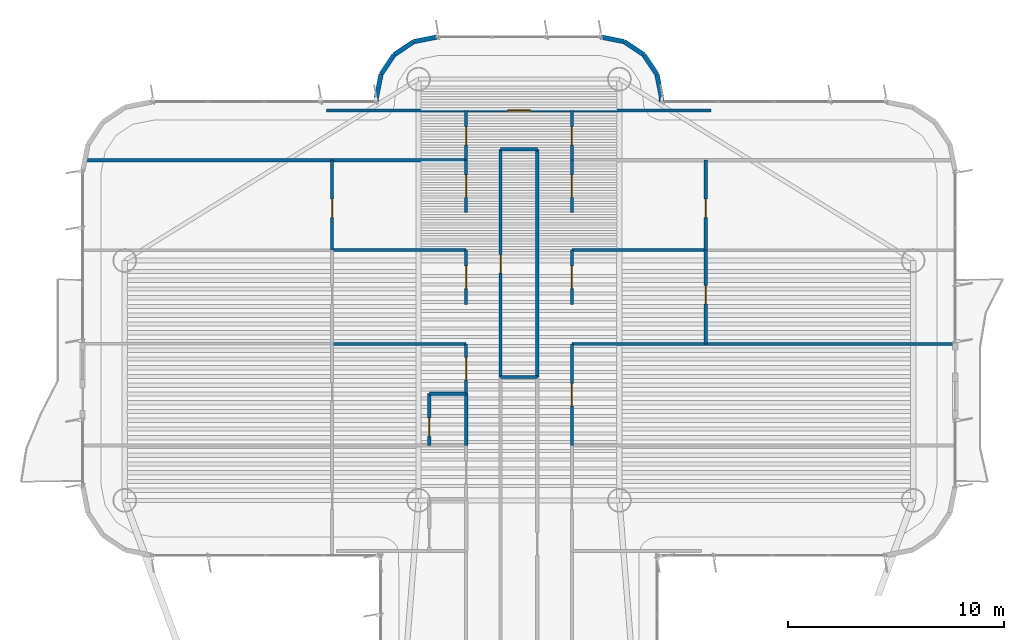
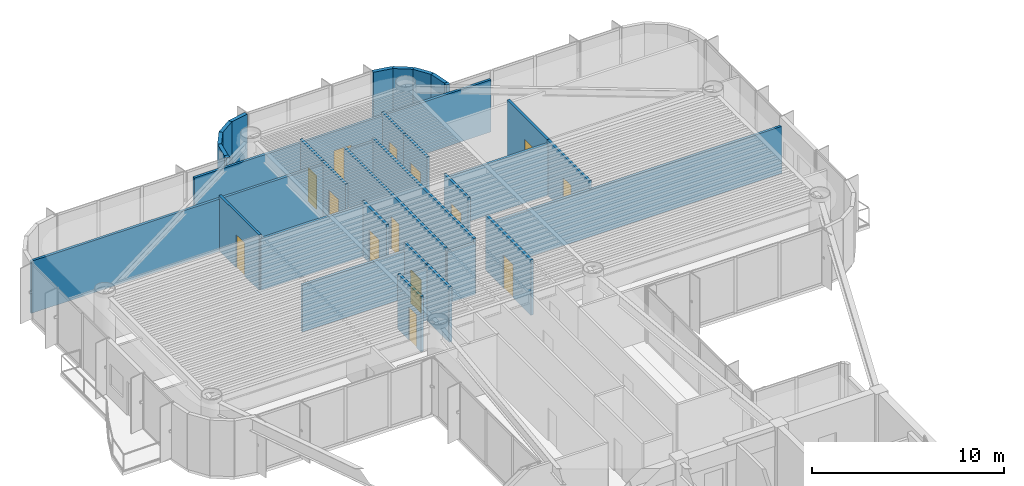
# One storey, part 11 of 14: 34 walls, 14 doors, 14 openings.
"""IFC4 building model written with IfcOpenShell, lengths in metres."""

import ifcopenshell
import ifcopenshell.guid

model = None  # the IFC model being written
_history = None  # IfcOwnerHistory: only IFC2X3 demands one
_inside = {}  # id of a spatial element -> (the spatial element, [elements in it])
_under = {}  # id of a project, library or spatial element -> (it, [spatial elements below it])
_declared = {}  # id of a project -> (the project, [libraries it declares])
_typed = {}  # id of a type object -> (the type object, [elements of that type])
_made_of = {}  # id of a material, layer set ... -> (it, [elements and type objects made of it])


def new_model(schema):
    """Start an empty IFC model of exactly this schema.

    Asked for "IFC4X3", IfcOpenShell would pick the latest addendum, in which some entities
    have other attributes; the version numbers below select the first issue.
    IFC2X3 requires an IfcOwnerHistory on every rooted entity: one is made here for all.
    """
    global model, _history
    if schema == "IFC4X3":
        model = ifcopenshell.file(schema_version=(4, 3, 0, 0))
    else:
        model = ifcopenshell.file(schema=schema)
    _inside.clear()
    _under.clear()
    _declared.clear()
    _typed.clear()
    _made_of.clear()
    _history = None
    if model.schema == "IFC2X3":
        org = make("IfcOrganization", Name="unknown")
        user = make(
            "IfcPersonAndOrganization",
            ThePerson=make("IfcPerson", FamilyName="unknown"),
            TheOrganization=org,
        )
        app = make(
            "IfcApplication",
            ApplicationDeveloper=org,
            Version="unknown",
            ApplicationFullName="unknown",
            ApplicationIdentifier="unknown",
        )
        _history = make(
            "IfcOwnerHistory",
            OwningUser=user,
            OwningApplication=app,
            ChangeAction="ADDED",
            CreationDate=0,
        )
    return model


def make(cls, **values):
    """One entity of the class cls with the attributes given. An attribute that is None is left unset."""
    return model.create_entity(
        cls, **{name: value for name, value in values.items() if value is not None}
    )


def rooted(cls, **values):
    """An entity with a GlobalId (a new one), such as an element, a storey or a relation."""
    return make(cls, GlobalId=ifcopenshell.guid.new(), OwnerHistory=_history, **values)


def si_unit(unit_type, name, prefix=None):
    """IfcSIUnit, for example si_unit("LENGTHUNIT", "METRE", prefix="MILLI")."""
    return make("IfcSIUnit", UnitType=unit_type, Prefix=prefix, Name=name)


def assignment(units):
    """IfcUnitAssignment: the units of a project."""
    return None if units is None else make("IfcUnitAssignment", Units=units)


def point(xyz):
    """IfcCartesianPoint."""
    return None if xyz is None else make("IfcCartesianPoint", Coordinates=xyz)


def direction(xyz):
    """IfcDirection."""
    return None if xyz is None else make("IfcDirection", DirectionRatios=xyz)


def frame(location, z_axis=None, x_axis=None):
    """IfcAxis2Placement3D, a coordinate frame: its origin and axes. An axis left out is left unset."""
    return make(
        "IfcAxis2Placement3D",
        Location=point(location),
        Axis=direction(z_axis),
        RefDirection=direction(x_axis),
    )


def frame_2d(location, x_axis=None):
    """IfcAxis2Placement2D, a coordinate frame in the plane: its origin and x axis."""
    return make(
        "IfcAxis2Placement2D", Location=point(location), RefDirection=direction(x_axis)
    )


def origin():
    """The frame at (0, 0, 0) with its axes left unset."""
    return frame((0.0, 0.0, 0.0))


def origin_2d():
    """The frame at (0, 0) in the plane with its x axis left unset."""
    return frame_2d((0.0, 0.0))


def place(relative_to, where):
    """IfcLocalPlacement: puts the frame where relative to a parent placement (None: the world)."""
    return make(
        "IfcLocalPlacement", PlacementRelTo=relative_to, RelativePlacement=where
    )


def context(
    kind, dimensions, precision=None, world=None, true_north=None, identifier=None
):
    """IfcGeometricRepresentationContext, for example the 3D "Model" context."""
    return make(
        "IfcGeometricRepresentationContext",
        ContextIdentifier=identifier,
        ContextType=kind,
        CoordinateSpaceDimension=dimensions,
        Precision=precision,
        WorldCoordinateSystem=world,
        TrueNorth=true_north,
    )


def subcontext(parent, identifier, kind, view, scale=None):
    """IfcGeometricRepresentationSubContext, for example "Body" below "Model"."""
    return make(
        "IfcGeometricRepresentationSubContext",
        ContextIdentifier=identifier,
        ContextType=kind,
        ParentContext=parent,
        TargetScale=scale,
        TargetView=view,
    )


def project(units=None, contexts=None):
    """IfcProject with its units and contexts."""
    return rooted(
        "IfcProject",
        Name="project",
        RepresentationContexts=contexts,
        UnitsInContext=assignment(units),
    )


def spatial(cls, under=None, at=None, **own):
    """A site, building, storey or space (cls), placed at a placement, below another one or the project."""
    s = rooted(cls, ObjectPlacement=at, **own)
    if under is not None:
        _under.setdefault(under.id(), (under, []))[1].append(s)
    return s


def profile(cls, at=None, kind="AREA", **sizes):
    """A parametric profile (cls). Its sizes go by their IFC names, for example OverallWidth=200.0."""
    return make(cls, ProfileType=kind, Position=at, **sizes)


def rectangle(**sizes):
    """IfcRectangleProfileDef."""
    return profile("IfcRectangleProfileDef", **sizes)


def extrude(swept, where, along, depth):
    """IfcExtrudedAreaSolid: the profile swept, set in the frame where, extruded along a direction by depth."""
    return make(
        "IfcExtrudedAreaSolid",
        SweptArea=swept,
        Position=where,
        ExtrudedDirection=direction(along),
        Depth=depth,
    )


def shape(context_of_items, identifier, shape_type, items):
    """IfcShapeRepresentation: the items that make up one representation, for example the "Body"."""
    return make(
        "IfcShapeRepresentation",
        ContextOfItems=context_of_items,
        RepresentationIdentifier=identifier,
        RepresentationType=shape_type,
        Items=items,
    )


def source(mapping_origin, context_of_items, identifier, shape_type, items):
    """IfcRepresentationMap: a shape defined once, which mapped items show again and again."""
    return make(
        "IfcRepresentationMap",
        MappingOrigin=mapping_origin,
        MappedRepresentation=shape(context_of_items, identifier, shape_type, items),
    )


def transform(
    local_origin,
    x_axis=None,
    y_axis=None,
    z_axis=None,
    scale=None,
    scale2=None,
    scale3=None,
    uniform=True,
):
    """IfcCartesianTransformationOperator3D, or its non-uniform kind. x_axis, y_axis, z_axis: its Axis1, 2, 3."""
    if uniform:
        return make(
            "IfcCartesianTransformationOperator3D",
            Axis1=direction(x_axis),
            Axis2=direction(y_axis),
            LocalOrigin=point(local_origin),
            Scale=scale,
            Axis3=direction(z_axis),
        )
    return make(
        "IfcCartesianTransformationOperator3DnonUniform",
        Axis1=direction(x_axis),
        Axis2=direction(y_axis),
        LocalOrigin=point(local_origin),
        Scale=scale,
        Axis3=direction(z_axis),
        Scale2=scale2,
        Scale3=scale3,
    )


def mapped(mapping_source, mapping_target):
    """IfcMappedItem: shows the shape of a source again, moved by a transform."""
    return make(
        "IfcMappedItem", MappingSource=mapping_source, MappingTarget=mapping_target
    )


def material(Name=None, Category=None):
    """IfcMaterial."""
    return make("IfcMaterial", Name=Name, Category=Category)


def layer(
    of_material, thickness, ventilated=None, Name=None, Category=None, Priority=None
):
    """IfcMaterialLayer: one layer of a wall or slab, of a material (None: an air gap)."""
    return make(
        "IfcMaterialLayer",
        Material=of_material,
        LayerThickness=thickness,
        IsVentilated=ventilated,
        Name=Name,
        Category=Category,
        Priority=Priority,
    )


def layer_set(layers, Name=None):
    """IfcMaterialLayerSet."""
    return make("IfcMaterialLayerSet", MaterialLayers=layers, LayerSetName=Name)


def made_of(thing, what):
    """Note that an element or type object is made of a material, layer set ...; save() writes the relation."""
    if what is not None:
        _made_of.setdefault(what.id(), (what, []))[1].append(thing)
    return thing


def type_object(cls, material=None, **own):
    """A type object (cls), such as IfcWallType, which elements share."""
    return made_of(rooted(cls, **own), material)


def element(
    cls,
    number,
    at=None,
    inside=None,
    cuts=None,
    type_object=None,
    material=None,
    context=None,
    identifier="Body",
    shape_type=None,
    held_by="IfcProductDefinitionShape",
    body=None,
    shapes=None,
    **own,
):
    """One element of the class cls, such as IfcWall. Its Tag is "e" and its number.

    at: its placement. inside: the storey or other place that contains it. cuts: it is an
    opening in that element (IfcRelVoidsElement). A single representation is given by context,
    identifier, shape_type and body (its items); several are given by shapes. held_by: the class
    of the entity that holds the representations. save() writes the other relations.
    """
    e = rooted(cls, Tag="e%d" % number, ObjectPlacement=at, **own)
    if body is not None:
        shapes = [shape(context, identifier, shape_type, body)]
    if shapes is not None:
        e.Representation = make(held_by, Representations=shapes)
    if inside is not None:
        _inside.setdefault(inside.id(), (inside, []))[1].append(e)
    if cuts is not None:
        rooted(
            "IfcRelVoidsElement", RelatingBuildingElement=cuts, RelatedOpeningElement=e
        )
    if type_object is not None:
        _typed.setdefault(type_object.id(), (type_object, []))[1].append(e)
    return made_of(e, material)


def fill(opening, filler):
    """IfcRelFillsElement: the door or window that sits in an opening."""
    return rooted(
        "IfcRelFillsElement",
        RelatingOpeningElement=opening,
        RelatedBuildingElement=filler,
    )


def aggregate(whole, parts):
    """IfcRelAggregates: a whole, such as a stair, and the parts it consists of."""
    return rooted("IfcRelAggregates", RelatingObject=whole, RelatedObjects=parts)


def save(model, path):
    """Write the relations noted so far, then the file.

    IfcRelAggregates (storeys below a building ...), IfcRelContainedInSpatialStructure (elements
    in a storey), IfcRelDefinesByType, IfcRelAssociatesMaterial and IfcRelDeclares: one each for
    every whole, place, type object, material and project.
    """
    for whole, parts in _under.values():
        aggregate(whole, parts)
    for where, things in _inside.values():
        rooted(
            "IfcRelContainedInSpatialStructure",
            RelatedElements=things,
            RelatingStructure=where,
        )
    for kind, things in _typed.values():
        rooted("IfcRelDefinesByType", RelatedObjects=things, RelatingType=kind)
    for what, things in _made_of.values():
        rooted("IfcRelAssociatesMaterial", RelatedObjects=things, RelatingMaterial=what)
    for by, libraries in _declared.values():
        rooted("IfcRelDeclares", RelatingContext=by, RelatedDefinitions=libraries)
    model.write(path)


model = new_model("IFC4")

# Units and contexts
model_context = context("Model", 3, precision=1e-05, world=origin(), true_north=direction((0.0, 1.0)))
body_context = subcontext(model_context, "Body", "Model", "MODEL_VIEW")
ifc_project = project(units=[si_unit("LENGTHUNIT", "METRE"), si_unit("AREAUNIT", "SQUARE_METRE"), si_unit("VOLUMEUNIT", "CUBIC_METRE"), si_unit("PLANEANGLEUNIT", "RADIAN"), si_unit("MASSUNIT", "GRAM", prefix="KILO")], contexts=[model_context])

# Site, building, storey
site_placement = place(None, origin())
site = spatial("IfcSite", under=ifc_project, at=site_placement, CompositionType="ELEMENT")
building_placement = place(site_placement, origin())
building = spatial("IfcBuilding", under=site, at=building_placement, Name="Brelvock Crest Care Tower", CompositionType="ELEMENT")
storey_placement = place(building_placement, frame((0.0, 0.0, 201.780029296875)))
storey = spatial("IfcBuildingStorey", under=building, at=storey_placement, Name="L51", CompositionType="ELEMENT", Elevation=201.780029296875)

# Walls
ifc_material_1 = material(Name="Precast concrete N40 (40 MPa)", Category="concrete")
ifc_layer_1 = layer(ifc_material_1, 0.215087890625, Name="WL-EX2")
ifc_layer_set_1 = layer_set([ifc_layer_1], Name="Precast concrete N40 (40 MPa)")
wall_type_1 = type_object("IfcWallType", Name="WL-EX2", PredefinedType="SOLIDWALL", material=ifc_layer_set_1)
wall_1_placement = place(storey_placement, frame((29.39990234375, 53.39990234375, 0.0), z_axis=(0.0, 0.0, 1.0), x_axis=(0.0, 1.0, 0.0)))
element("IfcWall", 1, at=wall_1_placement, inside=storey, type_object=wall_type_1, Name="L51 Rounded Corner Wall 23", PredefinedType="SOLIDWALL", context=body_context, shape_type="SweptSolid", body=[
    extrude(rectangle(XDim=0.2001953125, YDim=0.215087890625, at=frame_2d((0.10009765625, 0.0))), origin(), (0.0, 0.0, 1.0), 3.530029296875),
])
wall_2_placement = place(storey_placement, frame((29.39990234375, 53.60009765625, 0.0), z_axis=(0.0, 0.0, 1.0), x_axis=(0.195127417394, 0.980777900945, 0.0)))
element("IfcWall", 2, at=wall_2_placement, inside=storey, type_object=wall_type_1, Name="L51 Rounded Corner Wall 24", PredefinedType="SOLIDWALL", context=body_context, shape_type="SweptSolid", body=[
    extrude(rectangle(XDim=1.09228515625, YDim=0.215087890625, at=frame_2d((0.546142578125, 0.0))), origin(), (0.0, 0.0, 1.0), 3.530029296875),
])
wall_3_placement = place(storey_placement, frame((29.613037109375, 54.67138671875, 0.0), z_axis=(0.0, 0.0, 1.0), x_axis=(0.555679482341, 0.831396603857, 0.0)))
element("IfcWall", 3, at=wall_3_placement, inside=storey, type_object=wall_type_1, Name="L51 Rounded Corner Wall 25", PredefinedType="SOLIDWALL", context=body_context, shape_type="SweptSolid", body=[
    extrude(rectangle(XDim=1.0927734375, YDim=0.215087890625, at=frame_2d((0.54638671875, 0.0))), origin(), (0.0, 0.0, 1.0), 3.530029296875),
])
for number, where, z_axis, x_axis, name in (
    (4, (30.22021484375, 55.579833984375, 0.0), (0.0, 0.0, 1.0), (0.831327592857, 0.555782721353, 0.0), "L51 Rounded Corner Wall 26"),
    (5, (31.12841796875, 56.18701171875, 0.0), (0.0, 0.0, 1.0), (0.980829143587, 0.194869677195, 0.0), "L51 Rounded Corner Wall 27"),
    (6, (39.800048828125, 56.39990234375, 0.0), (0.0, 0.0, 1.0), (0.980829143587, -0.194869677195, 0.0), "L51 Rounded Corner Wall 29"),
    (7, (40.87158203125, 56.18701171875, 0.0), (0.0, 0.0, 1.0), (0.831327592857, -0.555782721353, 0.0), "L51 Rounded Corner Wall 30"),
):
    element("IfcWall", number, at=place(storey_placement, frame(where, z_axis=z_axis, x_axis=x_axis)), inside=storey, type_object=wall_type_1, Name=name, PredefinedType="SOLIDWALL", context=body_context, shape_type="SweptSolid", body=[
        extrude(rectangle(XDim=1.092529296875, YDim=0.215087890625, at=frame_2d((0.54638671875, 0.0))), origin(), (0.0, 0.0, 1.0), 3.530029296875),
    ])
wall_4_placement = place(storey_placement, frame((41.77978515625, 55.579833984375, 0.0), z_axis=(0.0, 0.0, 1.0), x_axis=(0.555679482341, -0.831396603857, 0.0)))
element("IfcWall", 8, at=wall_4_placement, inside=storey, type_object=wall_type_1, Name="L51 Rounded Corner Wall 31", PredefinedType="SOLIDWALL", context=body_context, shape_type="SweptSolid", body=[
    extrude(rectangle(XDim=1.0927734375, YDim=0.215087890625, at=frame_2d((0.54638671875, 0.0))), origin(), (0.0, 0.0, 1.0), 3.530029296875),
])
wall_5_placement = place(storey_placement, frame((42.386962890625, 54.67138671875, 0.0), z_axis=(0.0, 0.0, 1.0), x_axis=(0.195127417394, -0.980777900945, 0.0)))
element("IfcWall", 9, at=wall_5_placement, inside=storey, type_object=wall_type_1, Name="L51 Rounded Corner Wall 32", PredefinedType="SOLIDWALL", context=body_context, shape_type="SweptSolid", body=[
    extrude(rectangle(XDim=1.09228515625, YDim=0.215087890625, at=frame_2d((0.546142578125, 0.0))), origin(), (0.0, 0.0, 1.0), 3.530029296875),
])
wall_6_placement = place(storey_placement, frame((42.60009765625, 53.60009765625, 0.0), z_axis=(0.0, 0.0, 1.0), x_axis=(0.0, -1.0, 0.0)))
element("IfcWall", 10, at=wall_6_placement, inside=storey, type_object=wall_type_1, Name="L51 Rounded Corner Wall 33", PredefinedType="SOLIDWALL", context=body_context, shape_type="SweptSolid", body=[
    extrude(rectangle(XDim=0.2001953125, YDim=0.215087890625, at=frame_2d((0.10009765625, 0.0))), origin(), (0.0, 0.0, 1.0), 3.530029296875),
])
ifc_material_2 = material(Name="Masonry Blockwork Acoustic Partition", Category="masonry")
ifc_layer_2 = layer(ifc_material_2, 0.14990234375, Name="WL-INT1")
ifc_layer_set_2 = layer_set([ifc_layer_2], Name="Masonry Blockwork Acoustic Partition")
wall_type_2 = type_object("IfcWallType", Name="WL-INT1", PredefinedType="PARTITIONING", material=ifc_layer_set_2)
wall_7_placement = place(storey_placement, frame((35.14990234375, 40.659912109375, 0.0), z_axis=(0.0, 0.0, 1.0), x_axis=(1.0, 0.0, 0.0)))
element("IfcWall", 11, at=wall_7_placement, inside=storey, type_object=wall_type_2, Name="L51 Interior Wall WL-BX-L51-ISKT-S", PredefinedType="PARTITIONING", context=body_context, shape_type="SweptSolid", body=[
    extrude(rectangle(XDim=1.7001953125, YDim=0.14990234375, at=frame_2d((0.85009765625, 0.0))), origin(), (0.0, 0.0, 1.0), 3.259033203125),
])
wall_8_placement = place(storey_placement, frame((27.35009765625, 42.193115234375, 0.0), z_axis=(0.0, 0.0, 1.0), x_axis=(1.0, 0.0, 0.0)))
element("IfcWall", 12, at=wall_8_placement, inside=storey, type_object=wall_type_2, Name="L51 Interior Wall WL-BX-L51-CS-WS2-N", PredefinedType="PARTITIONING", context=body_context, shape_type="SweptSolid", body=[
    extrude(rectangle(XDim=6.199951171875, YDim=0.14990234375, at=frame_2d((3.10009765625, 0.0))), origin(), (0.0, 0.0, 1.0), 2.98193359375),
])
wall_9_placement = place(storey_placement, frame((38.449951171875, 42.193115234375, 0.0), z_axis=(0.0, 0.0, 1.0), x_axis=(1.0, 0.0, 0.0)))
element("IfcWall", 13, at=wall_9_placement, inside=storey, type_object=wall_type_2, Name="L51 Interior Wall WL-BX-L51-ESW2-N", PredefinedType="PARTITIONING", context=body_context, shape_type="SweptSolid", body=[
    extrude(rectangle(XDim=17.670166015625, YDim=0.14990234375, at=frame_2d((8.8349609375, 0.0))), origin(), (0.0, 0.0, 1.0), 2.98193359375),
])
for number, where, z_axis, x_axis, name in (
    (14, (27.35009765625, 46.537109375, 0.0), (0.0, 0.0, 1.0), (1.0, 0.0, 0.0), "L51 Interior Wall WL-BX-L51-CS-WS3-N"),
    (15, (38.449951171875, 46.537109375, 0.0), (0.0, 0.0, 1.0), (1.0, 0.0, 0.0), "L51 Interior Wall WL-BX-L51-CS-ES3-N"),
):
    element("IfcWall", number, at=place(storey_placement, frame(where, z_axis=z_axis, x_axis=x_axis)), inside=storey, type_object=wall_type_2, Name=name, PredefinedType="PARTITIONING", context=body_context, shape_type="SweptSolid", body=[
        extrude(rectangle(XDim=6.199951171875, YDim=0.14990234375, at=frame_2d((3.10009765625, 0.0))), origin(), (0.0, 0.0, 1.0), 3.259033203125),
    ])
wall_10_placement = place(storey_placement, frame((15.98095703125, 50.699951171875, 0.0), z_axis=(0.0, 0.0, 1.0), x_axis=(1.0, 0.0, 0.0)))
element("IfcWall", 16, at=wall_10_placement, inside=storey, type_object=wall_type_2, Name="L51 Interior Wall WL-BX-L51-NALW-S", PredefinedType="PARTITIONING", context=body_context, shape_type="SweptSolid", body=[
    extrude(rectangle(XDim=17.569091796875, YDim=0.14990234375, at=frame_2d((8.78466796875, 0.0))), origin(), (0.0, 0.0, 1.0), 3.307861328125),
])
wall_11_placement = place(storey_placement, frame((35.14990234375, 51.199951171875, 0.0), z_axis=(0.0, 0.0, 1.0), x_axis=(1.0, 0.0, 0.0)))
element("IfcWall", 17, at=wall_11_placement, inside=storey, type_object=wall_type_2, Name="L51 Interior Wall WL-BX-L51-ISKT-N", PredefinedType="PARTITIONING", context=body_context, shape_type="SweptSolid", body=[
    extrude(rectangle(XDim=1.7001953125, YDim=0.14990234375, at=frame_2d((0.85009765625, 0.0))), origin(), (0.0, 0.0, 1.0), 3.307861328125),
])

# Wall, opening, door
wall_12_placement = place(storey_placement, frame((27.10009765625, 53.0, 0.0), z_axis=(0.0, 0.0, 1.0), x_axis=(1.0, 0.0, 0.0)))
wall_12 = element("IfcWall", 18, at=wall_12_placement, inside=storey, type_object=wall_type_2, Name="L51 Interior Wall WL-RM-L51-NHUB", PredefinedType="PARTITIONING", context=body_context, shape_type="SweptSolid", body=[
    extrude(rectangle(XDim=17.7998046875, YDim=0.14990234375, at=frame_2d((8.89990234375, 0.0))), origin(), (0.0, 0.0, 1.0), 3.307861328125),
])
opening_1_placement = place(wall_12_placement, frame((8.375, 0.0, 0.0)))
opening_1 = element("IfcOpeningElement", 19, at=opening_1_placement, cuts=wall_12, Name="Opening CLD-1", PredefinedType="OPENING", context=body_context, shape_type="SweptSolid", body=[
    extrude(rectangle(XDim=1.050048828125, YDim=2.10009765625, at=origin_2d()), frame((0.52490234375, 0.0849609375, 1.050048828125), z_axis=(0.0, -1.0, 0.0), x_axis=(1.0, 0.0, 0.0)), (0.0, 0.0, 1.0), 0.169921875),
])
ifc_material_3 = material(Name="Engineered Hardwood Timber", Category="wood")
door_type_1 = type_object("IfcDoorType", Name="DR-CLN1", OperationType="NOTDEFINED", PredefinedType="DOOR", material=ifc_material_3)
shared_shape_1 = source(origin(), body_context, "Body", "SweptSolid", [
    extrude(rectangle(XDim=1.050048828125, YDim=2.10009765625, at=origin_2d()), frame((0.52490234375, 0.02490234375, 1.050048828125), z_axis=(0.0, -1.0, 0.0), x_axis=(1.0, 0.0, 0.0)), (0.0, 0.0, 1.0), 0.050048828125),
])
door_1_placement = place(opening_1_placement, origin())
door_1 = element("IfcDoor", 20, at=door_1_placement, inside=storey, type_object=door_type_1, Name="L51 North Crest Conservatory Lounge Door NHUB", OperationType="SINGLE_SWING_LEFT", OverallHeight=2.10009765625, OverallWidth=1.050048828125, PredefinedType="DOOR", context=body_context, shape_type="MappedRepresentation", body=[
    mapped(shared_shape_1, transform((0.0, 0.0, 0.0), x_axis=(1.0, 0.0, 0.0), y_axis=(0.0, 1.0, 0.0), z_axis=(0.0, 0.0, 1.0), scale=1.0)),
])
fill(opening_1, door_1)

wall_13_placement = place(storey_placement, frame((27.35009765625, 46.537109375, 0.0), z_axis=(0.0, 0.0, 1.0), x_axis=(0.0, 1.0, 0.0)))
wall_13 = element("IfcWall", 21, at=wall_13_placement, inside=storey, type_object=wall_type_2, Name="L51 Interior Wall WL-RM-L51-WS4S", PredefinedType="PARTITIONING", context=body_context, shape_type="SweptSolid", body=[
    extrude(rectangle(XDim=4.162841796875, YDim=0.14990234375, at=frame_2d((2.08154296875, 0.0))), origin(), (0.0, 0.0, 1.0), 3.5),
])
opening_2_placement = place(wall_13_placement, frame((1.5029296875, 0.0, 0.0)))
opening_2 = element("IfcOpeningElement", 22, at=opening_2_placement, cuts=wall_13, Name="Opening ID-1", PredefinedType="OPENING", context=body_context, shape_type="SweptSolid", body=[
    extrude(rectangle(XDim=0.860107421875, YDim=2.10009765625, at=origin_2d()), frame((0.43017578125, 0.0849609375, 1.050048828125), z_axis=(0.0, -1.0, 0.0), x_axis=(1.0, 0.0, 0.0)), (0.0, 0.0, 1.0), 0.169921875),
])
door_type_2 = type_object("IfcDoorType", Name="DR-INT1", OperationType="NOTDEFINED", PredefinedType="DOOR", material=ifc_material_3)
shared_shape_2 = source(origin(), body_context, "Body", "SweptSolid", [
    extrude(rectangle(XDim=0.860107421875, YDim=2.10009765625, at=origin_2d()), frame((0.43017578125, 0.02490234375, 1.050048828125), z_axis=(0.0, -1.0, 0.0), x_axis=(1.0, 0.0, 0.0)), (0.0, 0.0, 1.0), 0.050048828125),
])
door_2_placement = place(opening_2_placement, origin())
door_2 = element("IfcDoor", 23, at=door_2_placement, inside=storey, type_object=door_type_2, Name="L51 Skilled Nursing Mobility Store Door WS4S", OperationType="SINGLE_SWING_LEFT", OverallHeight=2.10009765625, OverallWidth=0.860107421875, PredefinedType="DOOR", context=body_context, shape_type="MappedRepresentation", body=[
    mapped(shared_shape_2, transform((0.0, 0.0, 0.0), x_axis=(1.0, 0.0, 0.0), y_axis=(0.0, 1.0, 0.0), z_axis=(0.0, 0.0, 1.0), scale=1.0)),
])
fill(opening_2, door_2)

wall_14_placement = place(storey_placement, frame((33.550048828125, 39.886962890625, 0.0), z_axis=(0.0, 0.0, 1.0), x_axis=(0.0, 1.0, 0.0)))
wall_14 = element("IfcWall", 24, at=wall_14_placement, inside=storey, type_object=wall_type_2, Name="L51 Interior Wall WL-CENT-L51-WS2", PredefinedType="PARTITIONING", context=body_context, shape_type="SweptSolid", body=[
    extrude(rectangle(XDim=2.30615234375, YDim=0.14990234375, at=frame_2d((1.153076171875, 0.0))), origin(), (0.0, 0.0, 1.0), 3.5),
])
opening_3_placement = place(wall_14_placement, frame((0.633056640625, 0.0, 0.0)))
opening_3 = element("IfcOpeningElement", 25, at=opening_3_placement, cuts=wall_14, Name="Opening CD-1", PredefinedType="OPENING", context=body_context, shape_type="SweptSolid", body=[
    extrude(rectangle(XDim=1.050048828125, YDim=2.10009765625, at=origin_2d()), frame((0.52490234375, 0.0849609375, 1.050048828125), z_axis=(0.0, -1.0, 0.0), x_axis=(1.0, 0.0, 0.0)), (0.0, 0.0, 1.0), 0.169921875),
])
door_type_3 = type_object("IfcDoorType", Name="DR-CARE1", OperationType="NOTDEFINED", PredefinedType="DOOR", material=ifc_material_3)
shared_shape_3 = source(origin(), body_context, "Body", "SweptSolid", [
    extrude(rectangle(XDim=1.050048828125, YDim=2.10009765625, at=origin_2d()), frame((0.52490234375, 0.02490234375, 1.050048828125), z_axis=(0.0, -1.0, 0.0), x_axis=(1.0, 0.0, 0.0)), (0.0, 0.0, 1.0), 0.050048828125),
])
door_3_placement = place(opening_3_placement, origin())
door_3 = element("IfcDoor", 26, at=door_3_placement, inside=storey, type_object=door_type_3, Name="L51 Care Suite Door WS2", OperationType="SINGLE_SWING_LEFT", OverallHeight=2.10009765625, OverallWidth=1.050048828125, PredefinedType="DOOR", context=body_context, shape_type="MappedRepresentation", body=[
    mapped(shared_shape_3, transform((0.0, 0.0, 0.0), x_axis=(1.0, 0.0, 0.0), y_axis=(0.0, 1.0, 0.0), z_axis=(0.0, 0.0, 1.0), scale=1.0)),
])
fill(opening_3, door_3)

wall_15_placement = place(storey_placement, frame((33.550048828125, 44.01708984375, 0.0), z_axis=(0.0, 0.0, 1.0), x_axis=(0.0, 1.0, 0.0)))
wall_15 = element("IfcWall", 27, at=wall_15_placement, inside=storey, type_object=wall_type_2, Name="L51 Interior Wall WL-CENT-L51-WS3", PredefinedType="PARTITIONING", context=body_context, shape_type="SweptSolid", body=[
    extrude(rectangle(XDim=2.52001953125, YDim=0.14990234375, at=frame_2d((1.260009765625, 0.0))), origin(), (0.0, 0.0, 1.0), 3.5),
])
opening_4_placement = place(wall_15_placement, frame((0.739990234375, 0.0, 0.0)))
opening_4 = element("IfcOpeningElement", 28, at=opening_4_placement, cuts=wall_15, Name="Opening CD-1", PredefinedType="OPENING", context=body_context, shape_type="SweptSolid", body=[
    extrude(rectangle(XDim=1.050048828125, YDim=2.10009765625, at=origin_2d()), frame((0.52490234375, 0.0849609375, 1.050048828125), z_axis=(0.0, -1.0, 0.0), x_axis=(1.0, 0.0, 0.0)), (0.0, 0.0, 1.0), 0.169921875),
])
door_4_placement = place(opening_4_placement, origin())
door_4 = element("IfcDoor", 29, at=door_4_placement, inside=storey, type_object=door_type_3, Name="L51 Care Suite Door WS3", OperationType="SINGLE_SWING_LEFT", OverallHeight=2.10009765625, OverallWidth=1.050048828125, PredefinedType="DOOR", context=body_context, shape_type="MappedRepresentation", body=[
    mapped(shared_shape_3, transform((0.0, 0.0, 0.0), x_axis=(1.0, 0.0, 0.0), y_axis=(0.0, 1.0, 0.0), z_axis=(0.0, 0.0, 1.0), scale=1.0)),
])
fill(opening_4, door_4)

wall_16_placement = place(storey_placement, frame((33.550048828125, 48.284912109375, 0.0), z_axis=(0.0, 0.0, 1.0), x_axis=(0.0, 1.0, 0.0)))
wall_16 = element("IfcWall", 30, at=wall_16_placement, inside=storey, type_object=wall_type_2, Name="L51 Interior Wall WL-CENT-L51-WS4", PredefinedType="PARTITIONING", context=body_context, shape_type="SweptSolid", body=[
    extrude(rectangle(XDim=2.4150390625, YDim=0.14990234375, at=frame_2d((1.20751953125, 0.0))), origin(), (0.0, 0.0, 1.0), 3.5),
])
opening_5_placement = place(wall_16_placement, frame((0.68798828125, 0.0, 0.0)))
opening_5 = element("IfcOpeningElement", 31, at=opening_5_placement, cuts=wall_16, Name="Opening CD-1", PredefinedType="OPENING", context=body_context, shape_type="SweptSolid", body=[
    extrude(rectangle(XDim=1.050048828125, YDim=2.10009765625, at=origin_2d()), frame((0.52490234375, 0.0849609375, 1.050048828125), z_axis=(0.0, -1.0, 0.0), x_axis=(1.0, 0.0, 0.0)), (0.0, 0.0, 1.0), 0.169921875),
])
door_5_placement = place(opening_5_placement, origin())
door_5 = element("IfcDoor", 32, at=door_5_placement, inside=storey, type_object=door_type_3, Name="L51 Care Suite Door WS4", OperationType="SINGLE_SWING_LEFT", OverallHeight=2.10009765625, OverallWidth=1.050048828125, PredefinedType="DOOR", context=body_context, shape_type="MappedRepresentation", body=[
    mapped(shared_shape_3, transform((0.0, 0.0, 0.0), x_axis=(1.0, 0.0, 0.0), y_axis=(0.0, 1.0, 0.0), z_axis=(0.0, 0.0, 1.0), scale=1.0)),
])
fill(opening_5, door_5)

wall_17_placement = place(storey_placement, frame((33.550048828125, 50.699951171875, 0.0), z_axis=(0.0, 0.0, 1.0), x_axis=(0.0, 1.0, 0.0)))
wall_17 = element("IfcWall", 33, at=wall_17_placement, inside=storey, type_object=wall_type_2, Name="L51 Interior Wall WL-RM-L51-NALW", PredefinedType="PARTITIONING", context=body_context, shape_type="SweptSolid", body=[
    extrude(rectangle(XDim=2.300048828125, YDim=0.14990234375, at=frame_2d((1.14990234375, 0.0))), origin(), (0.0, 0.0, 1.0), 3.5),
])
opening_6_placement = place(wall_17_placement, frame((0.68994140625, 0.0, 0.0)))
opening_6 = element("IfcOpeningElement", 34, at=opening_6_placement, cuts=wall_17, Name="Opening ID-1", PredefinedType="OPENING", context=body_context, shape_type="SweptSolid", body=[
    extrude(rectangle(XDim=0.860107421875, YDim=2.10009765625, at=origin_2d()), frame((0.43017578125, 0.0849609375, 1.050048828125), z_axis=(0.0, -1.0, 0.0), x_axis=(1.0, 0.0, 0.0)), (0.0, 0.0, 1.0), 0.169921875),
])
door_6_placement = place(opening_6_placement, origin())
door_6 = element("IfcDoor", 35, at=door_6_placement, inside=storey, type_object=door_type_2, Name="L51 North West Sun Alcove Door NALW", OperationType="SINGLE_SWING_LEFT", OverallHeight=2.10009765625, OverallWidth=0.860107421875, PredefinedType="DOOR", context=body_context, shape_type="MappedRepresentation", body=[
    mapped(shared_shape_2, transform((0.0, 0.0, 0.0), x_axis=(1.0, 0.0, 0.0), y_axis=(0.0, 1.0, 0.0), z_axis=(0.0, 0.0, 1.0), scale=1.0)),
])
fill(opening_6, door_6)

wall_18_placement = place(storey_placement, frame((35.14990234375, 40.659912109375, 0.0), z_axis=(0.0, 0.0, 1.0), x_axis=(0.0, 1.0, 0.0)))
wall_18 = element("IfcWall", 36, at=wall_18_placement, inside=storey, type_object=wall_type_2, Name="L51 Interior Wall WL-RM-L51-ISKT", PredefinedType="PARTITIONING", context=body_context, shape_type="SweptSolid", body=[
    extrude(rectangle(XDim=10.5400390625, YDim=0.14990234375, at=frame_2d((5.27001953125, 0.0))), origin(), (0.0, 0.0, 1.0), 3.5),
])
opening_7_placement = place(wall_18_placement, frame((4.81005859375, 0.0, 0.0)))
opening_7 = element("IfcOpeningElement", 37, at=opening_7_placement, cuts=wall_18, Name="Opening ID-1", PredefinedType="OPENING", context=body_context, shape_type="SweptSolid", body=[
    extrude(rectangle(XDim=0.860107421875, YDim=2.10009765625, at=origin_2d()), frame((0.43017578125, 0.0849609375, 1.050048828125), z_axis=(0.0, -1.0, 0.0), x_axis=(1.0, 0.0, 0.0)), (0.0, 0.0, 1.0), 0.169921875),
])
door_7_placement = place(opening_7_placement, origin())
door_7 = element("IfcDoor", 38, at=door_7_placement, inside=storey, type_object=door_type_2, Name="L51 Communal Tea and Nutrition Pantry Door ISKT", OperationType="SINGLE_SWING_LEFT", OverallHeight=2.10009765625, OverallWidth=0.860107421875, PredefinedType="DOOR", context=body_context, shape_type="MappedRepresentation", body=[
    mapped(shared_shape_2, transform((0.0, 0.0, 0.0), x_axis=(1.0, 0.0, 0.0), y_axis=(0.0, 1.0, 0.0), z_axis=(0.0, 0.0, 1.0), scale=1.0)),
])
fill(opening_7, door_7)

# Wall
wall_19_placement = place(storey_placement, frame((36.85009765625, 40.659912109375, 0.0), z_axis=(0.0, 0.0, 1.0), x_axis=(0.0, 1.0, 0.0)))
element("IfcWall", 39, at=wall_19_placement, inside=storey, type_object=wall_type_2, Name="L51 Interior Wall WL-BX-L51-ISKT-E", PredefinedType="PARTITIONING", context=body_context, shape_type="SweptSolid", body=[
    extrude(rectangle(XDim=10.5400390625, YDim=0.14990234375, at=frame_2d((5.27001953125, 0.0))), origin(), (0.0, 0.0, 1.0), 3.5),
])

# Wall, opening, door
wall_20_placement = place(storey_placement, frame((38.449951171875, 37.487060546875, 0.0), z_axis=(0.0, 0.0, 1.0), x_axis=(0.0, 1.0, 0.0)))
wall_20 = element("IfcWall", 40, at=wall_20_placement, inside=storey, type_object=wall_type_2, Name="L51 Interior Wall WL-RM-L51-ESW2", PredefinedType="PARTITIONING", context=body_context, shape_type="SweptSolid", body=[
    extrude(rectangle(XDim=4.7060546875, YDim=0.14990234375, at=frame_2d((2.35302734375, 0.0))), origin(), (0.0, 0.0, 1.0), 3.5),
])
opening_8_placement = place(wall_20_placement, frame((1.827880859375, 0.0, 0.0)))
opening_8 = element("IfcOpeningElement", 41, at=opening_8_placement, cuts=wall_20, Name="Opening CD-1", PredefinedType="OPENING", context=body_context, shape_type="SweptSolid", body=[
    extrude(rectangle(XDim=1.050048828125, YDim=2.10009765625, at=origin_2d()), frame((0.52490234375, 0.0849609375, 1.050048828125), z_axis=(0.0, -1.0, 0.0), x_axis=(1.0, 0.0, 0.0)), (0.0, 0.0, 1.0), 0.169921875),
])
door_8_placement = place(opening_8_placement, origin())
door_8 = element("IfcDoor", 42, at=door_8_placement, inside=storey, type_object=door_type_3, Name="L51 Sub-Acute Geriatric Therapy Clinic Door ESW2", OperationType="SINGLE_SWING_LEFT", OverallHeight=2.10009765625, OverallWidth=1.050048828125, PredefinedType="DOOR", context=body_context, shape_type="MappedRepresentation", body=[
    mapped(shared_shape_3, transform((0.0, 0.0, 0.0), x_axis=(1.0, 0.0, 0.0), y_axis=(0.0, 1.0, 0.0), z_axis=(0.0, 0.0, 1.0), scale=1.0)),
])
fill(opening_8, door_8)

wall_21_placement = place(storey_placement, frame((38.449951171875, 44.01708984375, 0.0), z_axis=(0.0, 0.0, 1.0), x_axis=(0.0, 1.0, 0.0)))
wall_21 = element("IfcWall", 43, at=wall_21_placement, inside=storey, type_object=wall_type_2, Name="L51 Interior Wall WL-CENT-L51-ES3", PredefinedType="PARTITIONING", context=body_context, shape_type="SweptSolid", body=[
    extrude(rectangle(XDim=2.52001953125, YDim=0.14990234375, at=frame_2d((1.260009765625, 0.0))), origin(), (0.0, 0.0, 1.0), 3.5),
])
opening_9_placement = place(wall_21_placement, frame((0.739990234375, 0.0, 0.0)))
opening_9 = element("IfcOpeningElement", 44, at=opening_9_placement, cuts=wall_21, Name="Opening CD-1", PredefinedType="OPENING", context=body_context, shape_type="SweptSolid", body=[
    extrude(rectangle(XDim=1.050048828125, YDim=2.10009765625, at=origin_2d()), frame((0.52490234375, 0.0849609375, 1.050048828125), z_axis=(0.0, -1.0, 0.0), x_axis=(1.0, 0.0, 0.0)), (0.0, 0.0, 1.0), 0.169921875),
])
door_9_placement = place(opening_9_placement, origin())
door_9 = element("IfcDoor", 45, at=door_9_placement, inside=storey, type_object=door_type_3, Name="L51 Care Suite Door ES3", OperationType="SINGLE_SWING_LEFT", OverallHeight=2.10009765625, OverallWidth=1.050048828125, PredefinedType="DOOR", context=body_context, shape_type="MappedRepresentation", body=[
    mapped(shared_shape_3, transform((0.0, 0.0, 0.0), x_axis=(1.0, 0.0, 0.0), y_axis=(0.0, 1.0, 0.0), z_axis=(0.0, 0.0, 1.0), scale=1.0)),
])
fill(opening_9, door_9)

wall_22_placement = place(storey_placement, frame((38.449951171875, 48.284912109375, 0.0), z_axis=(0.0, 0.0, 1.0), x_axis=(0.0, 1.0, 0.0)))
wall_22 = element("IfcWall", 46, at=wall_22_placement, inside=storey, type_object=wall_type_2, Name="L51 Interior Wall WL-CENT-L51-ES4", PredefinedType="PARTITIONING", context=body_context, shape_type="SweptSolid", body=[
    extrude(rectangle(XDim=2.4150390625, YDim=0.14990234375, at=frame_2d((1.20751953125, 0.0))), origin(), (0.0, 0.0, 1.0), 3.5),
])
opening_10_placement = place(wall_22_placement, frame((0.68798828125, 0.0, 0.0)))
opening_10 = element("IfcOpeningElement", 47, at=opening_10_placement, cuts=wall_22, Name="Opening CD-1", PredefinedType="OPENING", context=body_context, shape_type="SweptSolid", body=[
    extrude(rectangle(XDim=1.050048828125, YDim=2.10009765625, at=origin_2d()), frame((0.52490234375, 0.0849609375, 1.050048828125), z_axis=(0.0, -1.0, 0.0), x_axis=(1.0, 0.0, 0.0)), (0.0, 0.0, 1.0), 0.169921875),
])
door_10_placement = place(opening_10_placement, origin())
door_10 = element("IfcDoor", 48, at=door_10_placement, inside=storey, type_object=door_type_3, Name="L51 Care Suite Door ES4", OperationType="SINGLE_SWING_LEFT", OverallHeight=2.10009765625, OverallWidth=1.050048828125, PredefinedType="DOOR", context=body_context, shape_type="MappedRepresentation", body=[
    mapped(shared_shape_3, transform((0.0, 0.0, 0.0), x_axis=(1.0, 0.0, 0.0), y_axis=(0.0, 1.0, 0.0), z_axis=(0.0, 0.0, 1.0), scale=1.0)),
])
fill(opening_10, door_10)

wall_23_placement = place(storey_placement, frame((38.449951171875, 50.699951171875, 0.0), z_axis=(0.0, 0.0, 1.0), x_axis=(0.0, 1.0, 0.0)))
wall_23 = element("IfcWall", 49, at=wall_23_placement, inside=storey, type_object=wall_type_2, Name="L51 Interior Wall WL-RM-L51-NALE", PredefinedType="PARTITIONING", context=body_context, shape_type="SweptSolid", body=[
    extrude(rectangle(XDim=2.300048828125, YDim=0.14990234375, at=frame_2d((1.14990234375, 0.0))), origin(), (0.0, 0.0, 1.0), 3.5),
])
opening_11_placement = place(wall_23_placement, frame((0.68994140625, 0.0, 0.0)))
opening_11 = element("IfcOpeningElement", 50, at=opening_11_placement, cuts=wall_23, Name="Opening ID-1", PredefinedType="OPENING", context=body_context, shape_type="SweptSolid", body=[
    extrude(rectangle(XDim=0.860107421875, YDim=2.10009765625, at=origin_2d()), frame((0.43017578125, 0.0849609375, 1.050048828125), z_axis=(0.0, -1.0, 0.0), x_axis=(1.0, 0.0, 0.0)), (0.0, 0.0, 1.0), 0.169921875),
])
door_11_placement = place(opening_11_placement, origin())
door_11 = element("IfcDoor", 51, at=door_11_placement, inside=storey, type_object=door_type_2, Name="L51 North East Tea Alcove Door NALE", OperationType="SINGLE_SWING_LEFT", OverallHeight=2.10009765625, OverallWidth=0.860107421875, PredefinedType="DOOR", context=body_context, shape_type="MappedRepresentation", body=[
    mapped(shared_shape_2, transform((0.0, 0.0, 0.0), x_axis=(1.0, 0.0, 0.0), y_axis=(0.0, 1.0, 0.0), z_axis=(0.0, 0.0, 1.0), scale=1.0)),
])
fill(opening_11, door_11)

wall_24_placement = place(storey_placement, frame((44.64990234375, 42.193115234375, 0.0), z_axis=(0.0, 0.0, 1.0), x_axis=(0.0, 1.0, 0.0)))
wall_24 = element("IfcWall", 52, at=wall_24_placement, inside=storey, type_object=wall_type_2, Name="L51 Interior Wall WL-RM-L51-ES3S", PredefinedType="PARTITIONING", context=body_context, shape_type="SweptSolid", body=[
    extrude(rectangle(XDim=4.343994140625, YDim=0.14990234375, at=frame_2d((2.171875, 0.0))), origin(), (0.0, 0.0, 1.0), 3.5),
])
opening_12_placement = place(wall_24_placement, frame((1.846923828125, 0.0, 0.0)))
opening_12 = element("IfcOpeningElement", 53, at=opening_12_placement, cuts=wall_24, Name="Opening ID-1", PredefinedType="OPENING", context=body_context, shape_type="SweptSolid", body=[
    extrude(rectangle(XDim=0.860107421875, YDim=2.10009765625, at=origin_2d()), frame((0.43017578125, 0.0849609375, 1.050048828125), z_axis=(0.0, -1.0, 0.0), x_axis=(1.0, 0.0, 0.0)), (0.0, 0.0, 1.0), 0.169921875),
])
door_12_placement = place(opening_12_placement, origin())
door_12 = element("IfcDoor", 54, at=door_12_placement, inside=storey, type_object=door_type_2, Name="L51 Skilled Nursing Mobility Store Door ES3S", OperationType="SINGLE_SWING_LEFT", OverallHeight=2.10009765625, OverallWidth=0.860107421875, PredefinedType="DOOR", context=body_context, shape_type="MappedRepresentation", body=[
    mapped(shared_shape_2, transform((0.0, 0.0, 0.0), x_axis=(1.0, 0.0, 0.0), y_axis=(0.0, 1.0, 0.0), z_axis=(0.0, 0.0, 1.0), scale=1.0)),
])
fill(opening_12, door_12)

wall_25_placement = place(storey_placement, frame((44.64990234375, 46.537109375, 0.0), z_axis=(0.0, 0.0, 1.0), x_axis=(0.0, 1.0, 0.0)))
wall_25 = element("IfcWall", 55, at=wall_25_placement, inside=storey, type_object=wall_type_2, Name="L51 Interior Wall WL-RM-L51-ES4S", PredefinedType="PARTITIONING", context=body_context, shape_type="SweptSolid", body=[
    extrude(rectangle(XDim=4.162841796875, YDim=0.14990234375, at=frame_2d((2.08154296875, 0.0))), origin(), (0.0, 0.0, 1.0), 3.5),
])
opening_13_placement = place(wall_25_placement, frame((1.5029296875, 0.0, 0.0)))
opening_13 = element("IfcOpeningElement", 56, at=opening_13_placement, cuts=wall_25, Name="Opening ID-1", PredefinedType="OPENING", context=body_context, shape_type="SweptSolid", body=[
    extrude(rectangle(XDim=0.860107421875, YDim=2.10009765625, at=origin_2d()), frame((0.43017578125, 0.0849609375, 1.050048828125), z_axis=(0.0, -1.0, 0.0), x_axis=(1.0, 0.0, 0.0)), (0.0, 0.0, 1.0), 0.169921875),
])
door_13_placement = place(opening_13_placement, origin())
door_13 = element("IfcDoor", 57, at=door_13_placement, inside=storey, type_object=door_type_2, Name="L51 Skilled Nursing Mobility Store Door ES4S", OperationType="SINGLE_SWING_LEFT", OverallHeight=2.10009765625, OverallWidth=0.860107421875, PredefinedType="DOOR", context=body_context, shape_type="MappedRepresentation", body=[
    mapped(shared_shape_2, transform((0.0, 0.0, 0.0), x_axis=(1.0, 0.0, 0.0), y_axis=(0.0, 1.0, 0.0), z_axis=(0.0, 0.0, 1.0), scale=1.0)),
])
fill(opening_13, door_13)

# Wall
ifc_material_4 = material(Name="Gypsum Plasterboard Partition", Category="gypsum")
ifc_layer_3 = layer(ifc_material_4, 0.159912109375, Name="WL-PLM1")
ifc_layer_set_3 = layer_set([ifc_layer_3], Name="Gypsum Plasterboard Partition")
wall_type_3 = type_object("IfcWallType", Name="WL-PLM1", PredefinedType="PLUMBINGWALL", material=ifc_layer_set_3)
wall_26_placement = place(storey_placement, frame((31.85009765625, 39.886962890625, 0.0), z_axis=(0.0, 0.0, 1.0), x_axis=(1.0, 0.0, 0.0)))
element("IfcWall", 58, at=wall_26_placement, inside=storey, type_object=wall_type_3, Name="L51 Interior Wall WL-CENS2-L51-WS2", PredefinedType="PLUMBINGWALL", context=body_context, shape_type="SweptSolid", body=[
    extrude(rectangle(XDim=1.699951171875, YDim=0.159912109375, at=frame_2d((0.85009765625, 0.0))), origin(), (0.0, 0.0, 1.0), 3.259033203125),
])

# Wall, opening, door
wall_27_placement = place(storey_placement, frame((31.85009765625, 37.487060546875, 0.0), z_axis=(0.0, 0.0, 1.0), x_axis=(0.0, 1.0, 0.0)))
wall_27 = element("IfcWall", 59, at=wall_27_placement, inside=storey, type_object=wall_type_3, Name="L51 Interior Wall WL-CENS1-L51-WS2", PredefinedType="PLUMBINGWALL", context=body_context, shape_type="SweptSolid", body=[
    extrude(rectangle(XDim=2.39990234375, YDim=0.159912109375, at=frame_2d((1.199951171875, 0.0))), origin(), (0.0, 0.0, 1.0), 3.5),
])
opening_14_placement = place(wall_27_placement, frame((0.419921875, 0.0, 0.0)))
opening_14 = element("IfcOpeningElement", 60, at=opening_14_placement, cuts=wall_27, Name="Opening WD-1", PredefinedType="OPENING", context=body_context, shape_type="SweptSolid", body=[
    extrude(rectangle(XDim=0.860107421875, YDim=2.10009765625, at=origin_2d()), frame((0.43017578125, 0.08984375, 1.050048828125), z_axis=(0.0, -1.0, 0.0), x_axis=(1.0, 0.0, 0.0)), (0.0, 0.0, 1.0), 0.179931640625),
])
door_type_4 = type_object("IfcDoorType", Name="DR-WC1", OperationType="NOTDEFINED", PredefinedType="DOOR", material=ifc_material_3)
shared_shape_4 = source(origin(), body_context, "Body", "SweptSolid", [
    extrude(rectangle(XDim=0.860107421875, YDim=2.10009765625, at=origin_2d()), frame((0.43017578125, 0.02490234375, 1.050048828125), z_axis=(0.0, -1.0, 0.0), x_axis=(1.0, 0.0, 0.0)), (0.0, 0.0, 1.0), 0.050048828125),
])
door_14_placement = place(opening_14_placement, origin())
door_14 = element("IfcDoor", 61, at=door_14_placement, inside=storey, type_object=door_type_4, Name="L51 Care En-Suite Door WS2", OperationType="SINGLE_SWING_LEFT", OverallHeight=2.10009765625, OverallWidth=0.860107421875, PredefinedType="DOOR", context=body_context, shape_type="MappedRepresentation", body=[
    mapped(shared_shape_4, transform((0.0, 0.0, 0.0), x_axis=(1.0, 0.0, 0.0), y_axis=(0.0, 1.0, 0.0), z_axis=(0.0, 0.0, 1.0), scale=1.0)),
])
fill(opening_14, door_14)

# Wall
wall_28_placement = place(storey_placement, frame((33.550048828125, 37.487060546875, 0.0), z_axis=(0.0, 0.0, 1.0), x_axis=(0.0, 1.0, 0.0)))
element("IfcWall", 62, at=wall_28_placement, inside=storey, type_object=wall_type_3, Name="L51 Interior Wall WL-CENS0-L51-WS2", PredefinedType="PLUMBINGWALL", context=body_context, shape_type="SweptSolid", body=[
    extrude(rectangle(XDim=2.39990234375, YDim=0.159912109375, at=frame_2d((1.199951171875, 0.0))), origin(), (0.0, 0.0, 1.0), 3.5),
])

save(model, "model.ifc")
